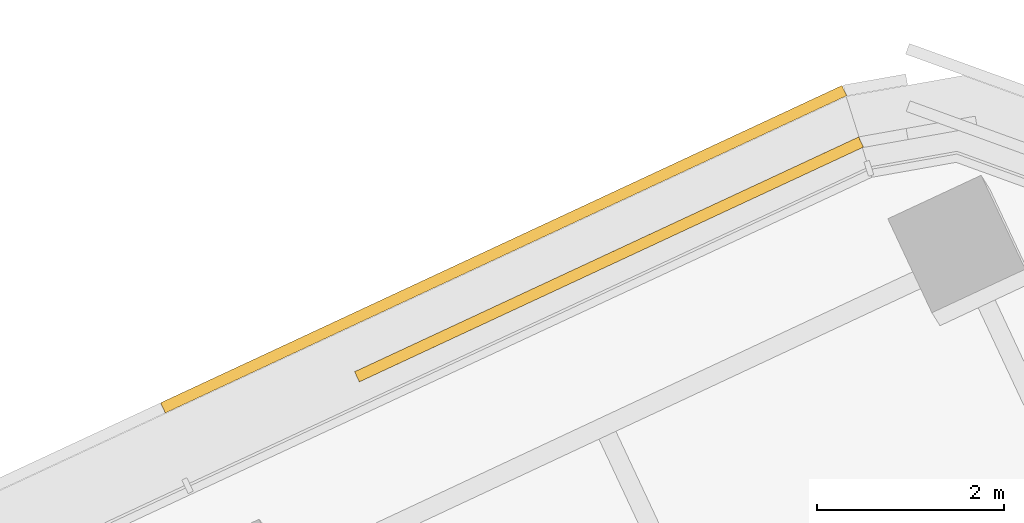
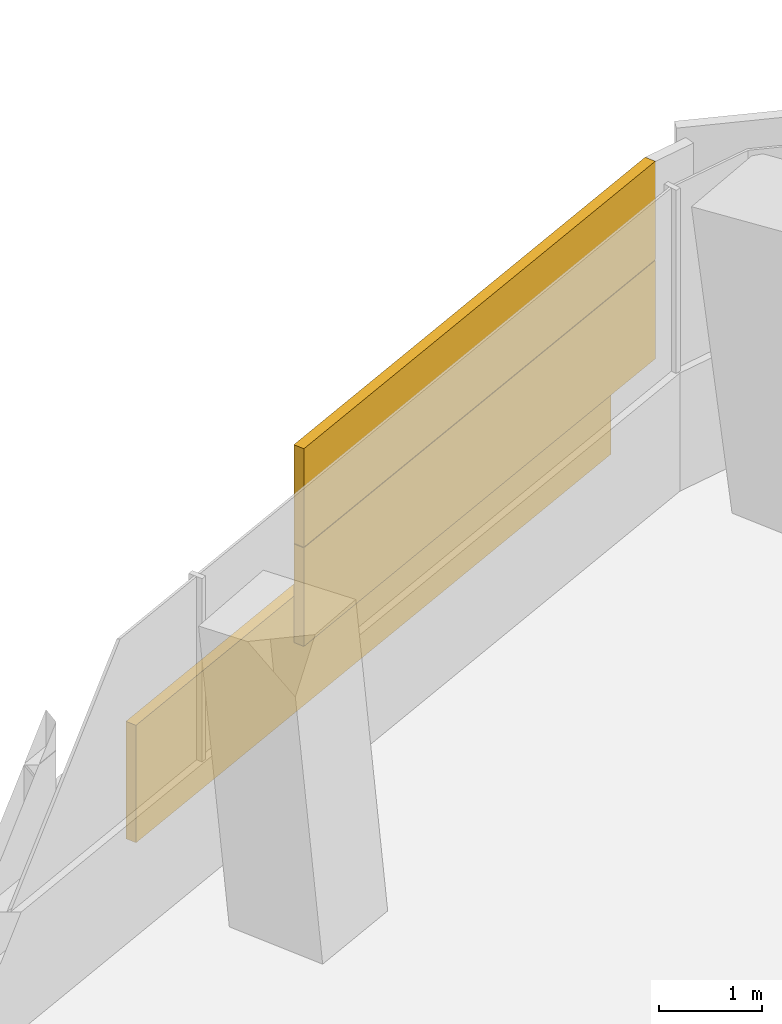
# One storey, part 36 of 36: 1 covering.
"""IFC4 building model written with IfcOpenShell, lengths in metres."""

from ifc_helpers import new_model, si_unit, direction, frame, origin, origin_2d, place, context, subcontext, project, spatial, rectangle, extrude, material, layer, layer_set, type_object, element, save


model = new_model("IFC4")

# Units and contexts
model_context = context("Model", 3, precision=1e-05, world=origin(), true_north=direction((0.0, 1.0)))
body_context = subcontext(model_context, "Body", "Model", "MODEL_VIEW")
ifc_project = project(units=[si_unit("LENGTHUNIT", "METRE"), si_unit("AREAUNIT", "SQUARE_METRE"), si_unit("VOLUMEUNIT", "CUBIC_METRE"), si_unit("PLANEANGLEUNIT", "RADIAN"), si_unit("MASSUNIT", "GRAM", prefix="KILO")], contexts=[model_context])

# Site, building, storey
site_placement = place(None, origin())
site = spatial("IfcSite", under=ifc_project, at=site_placement, CompositionType="ELEMENT")
building_placement = place(site_placement, origin())
building = spatial("IfcBuilding", under=site, at=building_placement, Name="Tamarind Cross Interchange Tower", CompositionType="ELEMENT")
storey_placement = place(building_placement, frame((0.0, 0.0, 124.75)))
storey = spatial("IfcBuildingStorey", under=building, at=storey_placement, Name="L30", CompositionType="ELEMENT", Elevation=124.75)

# Covering
ifc_material = material(Name="Terracotta", Category="masonry")
ifc_layer = layer(ifc_material, 0.1201171875)
ifc_layer_set = layer_set([ifc_layer], Name="Terracotta")
covering_type = type_object("IfcCoveringType", Name="Terracotta baguette screen unit", PredefinedType="MOLDING", material=ifc_layer_set)
covering_placement = place(storey_placement, origin())
element("IfcCovering", 1, at=covering_placement, inside=storey, type_object=covering_type, Name="SCR-L30-09-00", PredefinedType="MOLDING", context=body_context, shape_type="SweptSolid", body=[
    extrude(rectangle(XDim=1.510009765625, YDim=0.1201171875, at=origin_2d()), frame((41.272216796875, 16.846923828125, 1.404052734375), z_axis=(0.0, 0.0, 1.0), x_axis=(-0.906515024732, -0.422173554282, 0.0)), (0.0, 0.0, 1.0), 1.1669921875),
    extrude(rectangle(XDim=1.52001953125, YDim=0.1201171875, at=origin_2d()), frame((39.912353515625, 16.213623046875, 1.404052734375), z_axis=(0.0, 0.0, 1.0), x_axis=(-0.906515024732, -0.422173554282, 0.0)), (0.0, 0.0, 1.0), 1.1669921875),
    extrude(rectangle(XDim=1.52001953125, YDim=0.1201171875, at=origin_2d()), frame((38.552734375, 15.580322265625, 1.404052734375), z_axis=(0.0, 0.0, 1.0), x_axis=(-0.906515024732, -0.422173554282, 0.0)), (0.0, 0.0, 1.0), 1.1669921875),
    extrude(rectangle(XDim=1.44384765625, YDim=0.1201171875, at=origin_2d()), frame((37.222900390625, 14.9609375, 1.404052734375), z_axis=(0.0, 0.0, 1.0), x_axis=(-0.906515024732, -0.422173554282, 0.0)), (0.0, 0.0, 1.0), 1.1669921875),
    extrude(rectangle(XDim=0.760009765625, YDim=0.1201171875, at=origin_2d()), frame((41.612060546875, 17.005126953125, 2.5791015625), z_axis=(0.0, 0.0, 1.0), x_axis=(-0.906515024732, -0.422173554282, 0.0)), (0.0, 0.0, 1.0), 1.1669921875),
    extrude(rectangle(XDim=1.52001953125, YDim=0.1201171875, at=origin_2d()), frame((40.59228515625, 16.5302734375, 2.5791015625), z_axis=(0.0, 0.0, 1.0), x_axis=(-0.906515024732, -0.422173554282, 0.0)), (0.0, 0.0, 1.0), 1.1669921875),
    extrude(rectangle(XDim=1.52001953125, YDim=0.1201171875, at=origin_2d()), frame((39.232666015625, 15.89697265625, 2.5791015625), z_axis=(0.0, 0.0, 1.0), x_axis=(-0.906515024732, -0.422173554282, 0.0)), (0.0, 0.0, 1.0), 1.1669921875),
    extrude(rectangle(XDim=1.52001953125, YDim=0.1201171875, at=origin_2d()), frame((37.872802734375, 15.263671875, 2.5791015625), z_axis=(0.0, 0.0, 1.0), x_axis=(-0.906515024732, -0.422173554282, 0.0)), (0.0, 0.0, 1.0), 1.1669921875),
    extrude(rectangle(XDim=0.69384765625, YDim=0.1201171875, at=origin_2d()), frame((36.883056640625, 14.802734375, 2.5791015625), z_axis=(0.0, 0.0, 1.0), x_axis=(-0.906515024732, -0.422173554282, 0.0)), (0.0, 0.0, 1.0), 1.1669921875),
    extrude(rectangle(XDim=1.510009765625, YDim=0.1201171875, at=origin_2d()), frame((41.093505859375, 17.396728515625, 0.00390625), z_axis=(0.0, 0.0, 1.0), x_axis=(-0.906515024732, -0.422173554282, 0.0)), (0.0, 0.0, 1.0), 1.39208984375),
    extrude(rectangle(XDim=1.52001953125, YDim=0.1201171875, at=origin_2d()), frame((39.738037109375, 16.765625, 0.00390625), z_axis=(0.0, 0.0, 1.0), x_axis=(-0.906515024732, -0.422173554282, 0.0)), (0.0, 0.0, 1.0), 1.39208984375),
    extrude(rectangle(XDim=1.52001953125, YDim=0.1201171875, at=origin_2d()), frame((38.37841796875, 16.13232421875, 0.00390625), z_axis=(0.0, 0.0, 1.0), x_axis=(-0.906515024732, -0.422173554282, 0.0)), (0.0, 0.0, 1.0), 1.39208984375),
    extrude(rectangle(XDim=1.52001953125, YDim=0.1201171875, at=origin_2d()), frame((37.0185546875, 15.4990234375, 0.00390625), z_axis=(0.0, 0.0, 1.0), x_axis=(-0.906515024732, -0.422173554282, 0.0)), (0.0, 0.0, 1.0), 1.39208984375),
    extrude(rectangle(XDim=1.52001953125, YDim=0.1201171875, at=origin_2d()), frame((35.658935546875, 14.86572265625, 0.00390625), z_axis=(0.0, 0.0, 1.0), x_axis=(-0.906515024732, -0.422173554282, 0.0)), (0.0, 0.0, 1.0), 1.39208984375),
    extrude(rectangle(XDim=0.544189453125, YDim=0.1201171875, at=origin_2d()), frame((34.741455078125, 14.4384765625, 0.00390625), z_axis=(0.0, 0.0, 1.0), x_axis=(-0.906515024732, -0.422173554282, 0.0)), (0.0, 0.0, 1.0), 1.39208984375),
])

save(model, "model.ifc")
